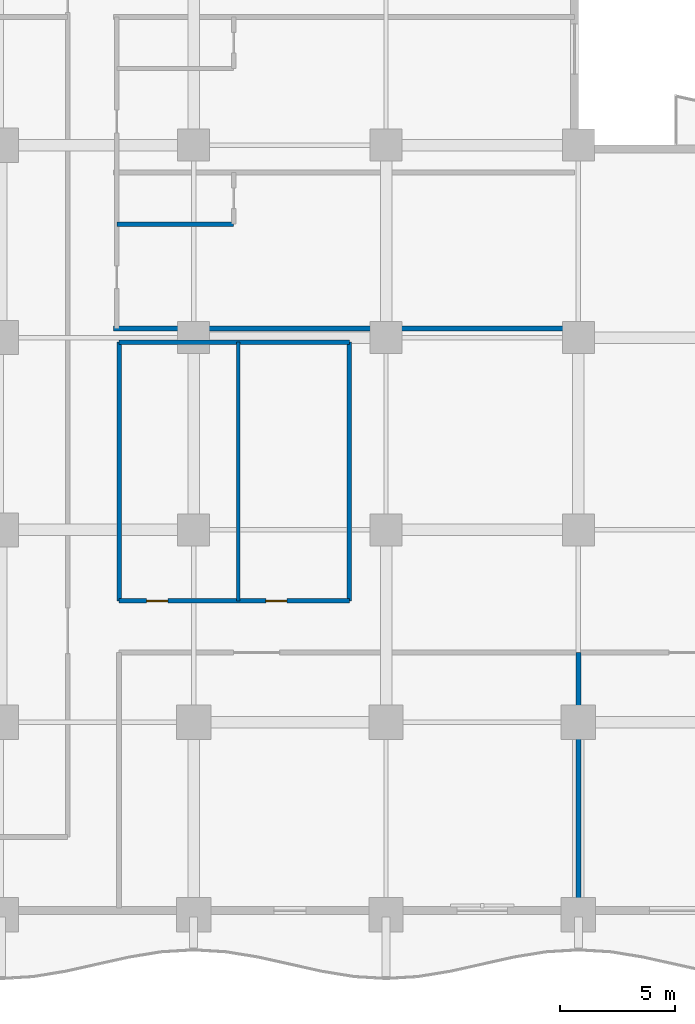
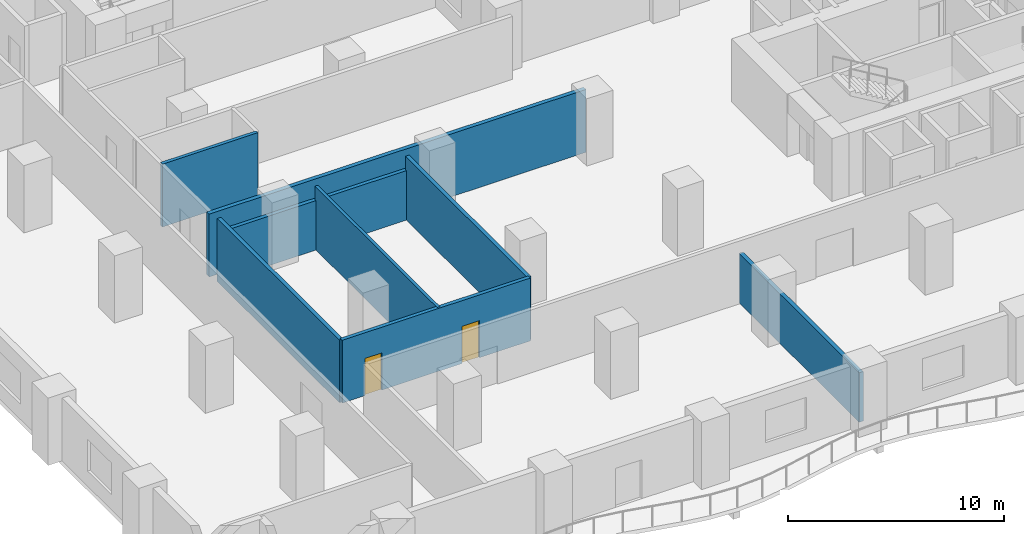
# One storey, part 7 of 21: 8 walls, 2 doors, 2 openings.
"""IFC4 building model written with IfcOpenShell, lengths in metres."""

from ifc_helpers import new_model, si_unit, direction, frame, frame_2d, origin, place, context, subcontext, project, spatial, rectangle, extrude, material, layer, layer_set, type_object, element, fill, save


model = new_model("IFC4")

# Units and contexts
model_context = context("Model", 3, precision=1e-05, world=origin(), true_north=direction((0.0, 1.0)))
body_context = subcontext(model_context, "Body", "Model", "MODEL_VIEW")
ifc_project = project(units=[si_unit("LENGTHUNIT", "METRE"), si_unit("AREAUNIT", "SQUARE_METRE"), si_unit("VOLUMEUNIT", "CUBIC_METRE"), si_unit("PLANEANGLEUNIT", "RADIAN"), si_unit("MASSUNIT", "GRAM", prefix="KILO")], contexts=[model_context])

# Site, building, storey
site_placement = place(None, origin())
site = spatial("IfcSite", under=ifc_project, at=site_placement, CompositionType="ELEMENT")
building_placement = place(site_placement, origin())
building = spatial("IfcBuilding", under=site, at=building_placement, Name="Koriwani Terraces Tower", CompositionType="ELEMENT")
storey_placement = place(building_placement, frame((0.0, 0.0, 77.60009765625)))
storey = spatial("IfcBuildingStorey", under=building, at=storey_placement, Name="L18", CompositionType="ELEMENT", Elevation=77.60009765625)

# Wall, openings, doors
ifc_material_1 = material(Name="Autoclaved Cellular Concrete Blockwork", Category="masonry")
ifc_layer_1 = layer(ifc_material_1, 0.199951171875, Name="Autoclaved Cellular Concrete Blockwork")
ifc_layer_set_1 = layer_set([ifc_layer_1], Name="Autoclaved Cellular Concrete Blockwork")
wall_type_1 = type_object("IfcWallType", Name="WALL_CORRIDOR_200", PredefinedType="PARTITIONING", material=ifc_layer_set_1)
wall_1_placement = place(storey_placement, frame((13.550048828125, 13.699951171875, 0.0), z_axis=(0.0, 0.0, 1.0), x_axis=(1.0, 0.0, 0.0)))
wall_1 = element("IfcWall", 1, at=wall_1_placement, inside=storey, type_object=wall_type_1, Name="L18 Interior Wall WHK-L18-S", PredefinedType="PARTITIONING", context=body_context, shape_type="SweptSolid", body=[
    extrude(rectangle(XDim=10.050048828125, YDim=0.199951171875, at=frame_2d((5.02490234375, 0.0))), origin(), (0.0, 0.0, 1.0), 3.5498046875),
])
opening_1_placement = place(wall_1_placement, frame((1.199951171875, 0.0, 0.0)))
opening_1 = element("IfcOpeningElement", 2, at=opening_1_placement, cuts=wall_1, Name="Opening D-06", PredefinedType="OPENING", context=body_context, shape_type="SweptSolid", body=[
    extrude(rectangle(XDim=0.919921875, YDim=2.10009765625, at=frame_2d((0.4599609375, 1.050048828125))), frame((0.0, 0.10986328125, 0.0), z_axis=(0.0, -1.0, 0.0), x_axis=(1.0, 0.0, 0.0)), (0.0, 0.0, 1.0), 0.219970703125),
])
opening_2_placement = place(wall_1_placement, frame((6.39990234375, 0.0, 0.0)))
opening_2 = element("IfcOpeningElement", 3, at=opening_2_placement, cuts=wall_1, Name="Opening D-06", PredefinedType="OPENING", context=body_context, shape_type="SweptSolid", body=[
    extrude(rectangle(XDim=0.919921875, YDim=2.10009765625, at=frame_2d((0.4599609375, 1.050048828125))), frame((0.0, 0.10986328125, 0.0), z_axis=(0.0, -1.0, 0.0), x_axis=(1.0, 0.0, 0.0)), (0.0, 0.0, 1.0), 0.219970703125),
])
ifc_material_2 = material(Name="Architectural Oak Fire Door", Category="wood")
door_type = type_object("IfcDoorType", Name="DOOR_ROOM_INT_920X2100", OperationType="NOTDEFINED", PredefinedType="DOOR", material=ifc_material_2)
door_1_placement = place(opening_1_placement, origin())
door_1 = element("IfcDoor", 4, at=door_1_placement, inside=storey, type_object=door_type, Name="L18 Housekeeping and Linen Room Door", OperationType="SINGLE_SWING_RIGHT", OverallHeight=2.10009765625, OverallWidth=0.919921875, PredefinedType="DOOR", context=body_context, shape_type="SweptSolid", body=[
    extrude(rectangle(XDim=0.919921875, YDim=2.10009765625, at=frame_2d((0.4599609375, 1.050048828125))), frame((0.0, 0.02490234375, 0.0), z_axis=(0.0, -1.0, 0.0), x_axis=(1.0, 0.0, 0.0)), (0.0, 0.0, 1.0), 0.050048828125),
])
fill(opening_1, door_1)
door_2_placement = place(opening_2_placement, origin())
door_2 = element("IfcDoor", 5, at=door_2_placement, inside=storey, type_object=door_type, Name="L18 Guest Study Lounge Door", OperationType="SINGLE_SWING_LEFT", OverallHeight=2.10009765625, OverallWidth=0.919921875, PredefinedType="DOOR", context=body_context, shape_type="SweptSolid", body=[
    extrude(rectangle(XDim=0.919921875, YDim=2.10009765625, at=frame_2d((0.4599609375, 1.050048828125))), frame((0.0, 0.02490234375, 0.0), z_axis=(0.0, -1.0, 0.0), x_axis=(1.0, 0.0, 0.0)), (0.0, 0.0, 1.0), 0.050048828125),
])
fill(opening_2, door_2)

# Walls
wall_2_placement = place(storey_placement, frame((13.550048828125, 25.0, 0.0), z_axis=(0.0, 0.0, 1.0), x_axis=(1.0, 0.0, 0.0)))
element("IfcWall", 6, at=wall_2_placement, inside=storey, type_object=wall_type_1, Name="L18 Interior Wall WHK-L18-N", PredefinedType="PARTITIONING", context=body_context, shape_type="SweptSolid", body=[
    extrude(rectangle(XDim=10.050048828125, YDim=0.199951171875, at=frame_2d((5.02490234375, 0.0))), origin(), (0.0, 0.0, 1.0), 2.7998046875),
])
for number, where, z_axis, x_axis, name in (
    (7, (13.550048828125, 13.699951171875, 0.0), (0.0, 0.0, 1.0), (0.0, 1.0, 0.0), "L18 Interior Wall WHK-L18-W"),
    (8, (23.60009765625, 13.699951171875, 0.0), (0.0, 0.0, 1.0), (0.0, 1.0, 0.0), "L18 Interior Wall WHK-L18-E"),
):
    element("IfcWall", number, at=place(storey_placement, frame(where, z_axis=z_axis, x_axis=x_axis)), inside=storey, type_object=wall_type_1, Name=name, PredefinedType="PARTITIONING", context=body_context, shape_type="SweptSolid", body=[
        extrude(rectangle(XDim=11.300048828125, YDim=0.199951171875, at=frame_2d((5.64990234375, 0.0))), origin(), (0.0, 0.0, 1.0), 3.5498046875),
    ])
ifc_layer_2 = layer(ifc_material_1, 0.219970703125, Name="Autoclaved Cellular Concrete Blockwork")
ifc_layer_set_2 = layer_set([ifc_layer_2], Name="Autoclaved Cellular Concrete Blockwork")
wall_type_2 = type_object("IfcWallType", Name="WALL_DEMISING_220", PredefinedType="PARTITIONING", material=ifc_layer_set_2)
wall_3_placement = place(storey_placement, frame((13.300048828125, 25.60009765625, 0.0), z_axis=(0.0, 0.0, 1.0), x_axis=(1.0, 0.0, 0.0)))
element("IfcWall", 9, at=wall_3_placement, inside=storey, type_object=wall_type_2, Name="L18 Interior Wall WDEM-L18-NWI-0", PredefinedType="PARTITIONING", context=body_context, shape_type="SweptSolid", body=[
    extrude(rectangle(XDim=20.1298828125, YDim=0.219970703125, at=frame_2d((10.06494140625, 0.0))), origin(), (0.0, 0.0, 1.0), 3.5498046875),
])
wall_4_placement = place(storey_placement, frame((33.60009765625, 0.300048828125, 0.0), z_axis=(0.0, 0.0, 1.0), x_axis=(0.0, 1.0, 0.0)))
element("IfcWall", 10, at=wall_4_placement, inside=storey, type_object=wall_type_2, Name="L18 Interior Wall WZ1CLBM-L18", PredefinedType="PARTITIONING", context=body_context, shape_type="SweptSolid", body=[
    extrude(rectangle(XDim=11.14990234375, YDim=0.219970703125, at=frame_2d((5.574951171875, 0.0))), origin(), (0.0, 0.0, 1.0), 2.7998046875),
])
ifc_material_3 = material(Name="Fire-Rated Acoustic Gypsum Partition", Category="masonry")
ifc_layer_3 = layer(ifc_material_3, 0.179931640625, Name="Fire-Rated Acoustic Gypsum Partition")
ifc_layer_set_3 = layer_set([ifc_layer_3], Name="Fire-Rated Acoustic Gypsum Partition")
wall_type_3 = type_object("IfcWallType", Name="WALL_PLUMBING_180", PredefinedType="PLUMBINGWALL", material=ifc_layer_set_3)
wall_5_placement = place(storey_placement, frame((13.449951171875, 30.14990234375, 0.0), z_axis=(0.0, 0.0, 1.0), x_axis=(1.0, 0.0, 0.0)))
element("IfcWall", 11, at=wall_5_placement, inside=storey, type_object=wall_type_3, Name="L18 Interior Wall WBTH2-L18-NWI-0", PredefinedType="PLUMBINGWALL", context=body_context, shape_type="SweptSolid", body=[
    extrude(rectangle(XDim=5.10009765625, YDim=0.179931640625, at=frame_2d((2.550048828125, 0.0))), origin(), (0.0, 0.0, 1.0), 3.5498046875),
])
ifc_layer_4 = layer(ifc_material_3, 0.159912109375, Name="Fire-Rated Acoustic Gypsum Partition")
ifc_layer_set_4 = layer_set([ifc_layer_4], Name="Fire-Rated Acoustic Gypsum Partition")
wall_type_4 = type_object("IfcWallType", Name="WALL_SUITE_160", PredefinedType="PARTITIONING", material=ifc_layer_set_4)
wall_6_placement = place(storey_placement, frame((18.75, 13.699951171875, 0.0), z_axis=(0.0, 0.0, 1.0), x_axis=(0.0, 1.0, 0.0)))
element("IfcWall", 12, at=wall_6_placement, inside=storey, type_object=wall_type_4, Name="L18 Interior Wall WHK-L18-M", PredefinedType="PARTITIONING", context=body_context, shape_type="SweptSolid", body=[
    extrude(rectangle(XDim=11.300048828125, YDim=0.159912109375, at=frame_2d((5.64990234375, 0.0))), origin(), (0.0, 0.0, 1.0), 3.5498046875),
])

save(model, "model.ifc")
